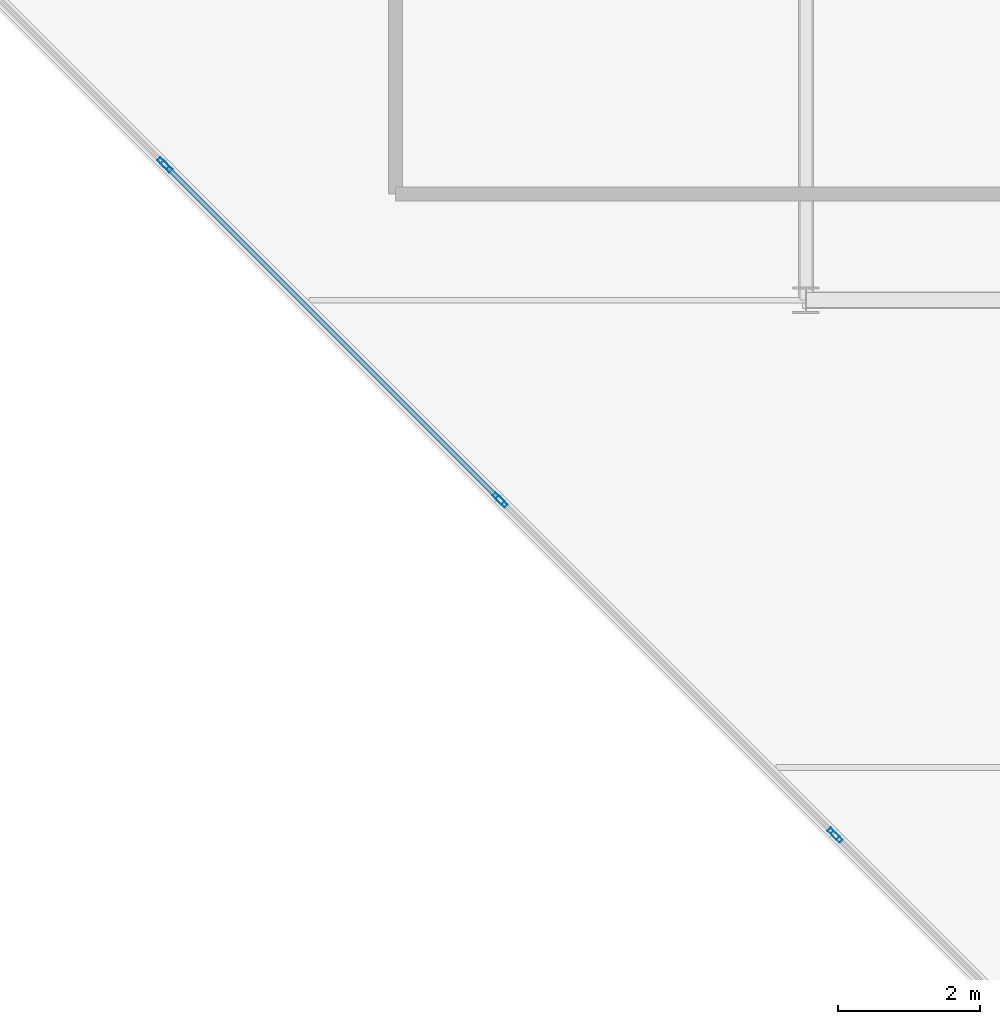
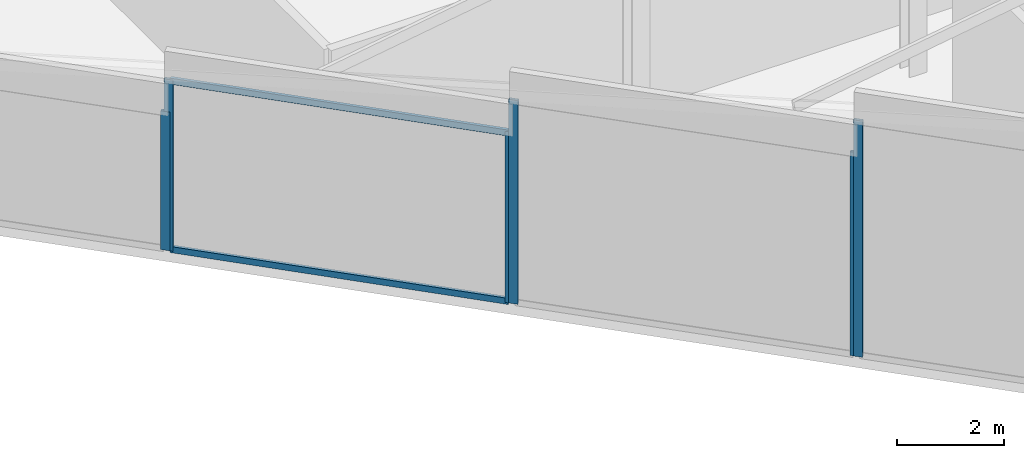
# One storey, part 2 of 30: 8 members, 4 elements without a shape of their own.
"""IFC4 building model written with IfcOpenShell, lengths in metres."""

from ifc_helpers import new_model, si_unit, direction, frame, origin, origin_2d, place, context, subcontext, project, spatial, hollow_rectangle, extrude, material, layer, layer_set, material_profile, profile_set, type_object, element, aggregate, save


model = new_model("IFC4")

# Units and contexts
model_context = context("Model", 3, precision=1e-05, world=origin(), true_north=direction((0.0, 1.0)))
body_context = subcontext(model_context, "Body", "Model", "MODEL_VIEW")
ifc_project = project(units=[si_unit("LENGTHUNIT", "METRE"), si_unit("AREAUNIT", "SQUARE_METRE"), si_unit("VOLUMEUNIT", "CUBIC_METRE"), si_unit("PLANEANGLEUNIT", "RADIAN"), si_unit("MASSUNIT", "GRAM", prefix="KILO")], contexts=[model_context])

# Site, building, storey
site_placement = place(None, origin())
site = spatial("IfcSite", under=ifc_project, at=site_placement, CompositionType="ELEMENT")
building_placement = place(site_placement, origin())
building = spatial("IfcBuilding", under=site, at=building_placement, Name="Tanjung Sevakor Pilgrim Tower", CompositionType="ELEMENT")
storey_placement = place(building_placement, frame((0.0, 0.0, 287.760009765625)))
storey = spatial("IfcBuildingStorey", under=building, at=storey_placement, Name="L80", CompositionType="ELEMENT", Elevation=287.760009765625)

# Curtain wall, member
ifc_material_1 = material(Name="Aluminium 6063-T6 and Low-E Glass", Category="aluminium")
ifc_layer = layer(ifc_material_1, 0.179931640625)
ifc_layer_set = layer_set([ifc_layer], Name="CW-SYS-CHAM")
curtain_wall_type = type_object("IfcCurtainWallType", Name="CW-SYS-CHAM", PredefinedType="NOTDEFINED", material=ifc_layer_set)
curtain_wall_1_placement = place(storey_placement, origin())
curtain_wall_1 = element("IfcCurtainWall", 1, at=curtain_wall_1_placement, inside=storey, type_object=curtain_wall_type, Name="L80 Curtain Wall CW-CHM-L80-EAST-7B1", PredefinedType="NOTDEFINED")
ifc_material_2 = material(Name="Aluminium 6063-T6", Category="aluminium")
ifc_material_profile_1 = material_profile(ifc_material_2, hollow_rectangle(XDim=0.06494140625, YDim=0.179931640625, WallThickness=0.00390625, at=origin_2d()))
ifc_profile_set_1 = profile_set([ifc_material_profile_1], Name="Aluminium 6063-T6")
member_type_1 = type_object("IfcMemberType", Name="TYPE-CWM-1", PredefinedType="MULLION", material=ifc_profile_set_1)
member_1_placement = place(storey_placement, frame((56.9208984375, 26.53466796875, 0.0), z_axis=(0.0, 0.0, 1.0), x_axis=(0.707106781187, 0.707106781187, 0.0)))
member_1 = element("IfcMember", 2, at=member_1_placement, type_object=member_type_1, Name="CW-CHM mullion 2", PredefinedType="MULLION", context=body_context, shape_type="SweptSolid", body=[
    extrude(hollow_rectangle(XDim=0.06494140625, YDim=0.179931640625, WallThickness=0.00390625, at=origin_2d()), origin(), (0.0, 0.0, 1.0), 3.17724609375),
])
aggregate(curtain_wall_1, [member_1])

# Curtain wall, members
curtain_wall_2_placement = place(storey_placement, origin())
curtain_wall_2 = element("IfcCurtainWall", 3, at=curtain_wall_2_placement, inside=storey, type_object=curtain_wall_type, Name="L80 Curtain Wall CW-CHM-L80-EAST-7B2", PredefinedType="NOTDEFINED")
member_2_placement = place(storey_placement, frame((56.966796875, 26.48876953125, 0.0), z_axis=(0.0, 0.0, 1.0), x_axis=(0.707106781187, 0.707106781187, 0.0)))
member_2 = element("IfcMember", 4, at=member_2_placement, type_object=member_type_1, Name="CW-CHM mullion 1", PredefinedType="MULLION", context=body_context, shape_type="SweptSolid", body=[
    extrude(hollow_rectangle(XDim=0.06494140625, YDim=0.179931640625, WallThickness=0.00390625, at=origin_2d()), origin(), (0.0, 0.0, 1.0), 3.9208984375),
])
member_3_placement = place(storey_placement, frame((61.65478515625, 21.80078125, 0.0), z_axis=(0.0, 0.0, 1.0), x_axis=(0.707106781187, 0.707106781187, 0.0)))
member_3 = element("IfcMember", 5, at=member_3_placement, type_object=member_type_1, Name="CW-CHM mullion 2", PredefinedType="MULLION", context=body_context, shape_type="SweptSolid", body=[
    extrude(hollow_rectangle(XDim=0.06494140625, YDim=0.179931640625, WallThickness=0.00390625, at=origin_2d()), origin(), (0.0, 0.0, 1.0), 3.9208984375),
])

curtain_wall_3_placement = place(storey_placement, origin())
curtain_wall_3 = element("IfcCurtainWall", 6, at=curtain_wall_3_placement, inside=storey, type_object=curtain_wall_type, Name="L80 Curtain Wall CW-CHM-L80-EAST-7B3", PredefinedType="NOTDEFINED")
member_4_placement = place(storey_placement, frame((61.70068359375, 21.7548828125, 0.0), z_axis=(0.0, 0.0, 1.0), x_axis=(0.707106781187, 0.707106781187, 0.0)))
member_4 = element("IfcMember", 7, at=member_4_placement, type_object=member_type_1, Name="CW-CHM mullion 1", PredefinedType="MULLION", context=body_context, shape_type="SweptSolid", body=[
    extrude(hollow_rectangle(XDim=0.06494140625, YDim=0.179931640625, WallThickness=0.00390625, at=origin_2d()), origin(), (0.0, 0.0, 1.0), 4.664794921875),
])
member_5_placement = place(storey_placement, frame((66.388671875, 17.06689453125, 0.0), z_axis=(0.0, 0.0, 1.0), x_axis=(0.707106781187, 0.707106781187, 0.0)))
member_5 = element("IfcMember", 8, at=member_5_placement, type_object=member_type_1, Name="CW-CHM mullion 2", PredefinedType="MULLION", context=body_context, shape_type="SweptSolid", body=[
    extrude(hollow_rectangle(XDim=0.06494140625, YDim=0.179931640625, WallThickness=0.00390625, at=origin_2d()), origin(), (0.0, 0.0, 1.0), 4.664794921875),
])
aggregate(curtain_wall_3, [member_4, member_5])

# Curtain wall, member
curtain_wall_4_placement = place(storey_placement, origin())
curtain_wall_4 = element("IfcCurtainWall", 9, at=curtain_wall_4_placement, inside=storey, type_object=curtain_wall_type, Name="L80 Curtain Wall CW-CHM-L80-EAST-7B4", PredefinedType="NOTDEFINED")
member_6_placement = place(storey_placement, frame((66.4345703125, 17.02099609375, 0.0), z_axis=(0.0, 0.0, 1.0), x_axis=(0.707106781187, 0.707106781187, 0.0)))
member_6 = element("IfcMember", 10, at=member_6_placement, type_object=member_type_1, Name="CW-CHM mullion 1", PredefinedType="MULLION", context=body_context, shape_type="SweptSolid", body=[
    extrude(hollow_rectangle(XDim=0.06494140625, YDim=0.179931640625, WallThickness=0.00390625, at=origin_2d()), origin(), (0.0, 0.0, 1.0), 5.408447265625),
])
aggregate(curtain_wall_4, [member_6])

# Member
ifc_material_3 = material(Name="Aluminium 6063-T6", Category="aluminium")
ifc_material_profile_2 = material_profile(ifc_material_3, hollow_rectangle(XDim=0.06494140625, YDim=0.139892578125, WallThickness=0.00390625, at=origin_2d()))
ifc_profile_set_2 = profile_set([ifc_material_profile_2], Name="Aluminium 6063-T6")
member_type_2 = type_object("IfcMemberType", Name="TYPE-CWT-1", PredefinedType="USERDEFINED", material=ifc_profile_set_2)
member_7_placement = place(storey_placement, frame((56.98974609375, 26.4658203125, 0.032470703125), z_axis=(0.707106781187, -0.707106781187, 0.0), x_axis=(0.707106781187, 0.707106781187, 0.0)))
member_7 = element("IfcMember", 11, at=member_7_placement, type_object=member_type_2, Name="CW-CHM transom 1.1", ObjectType="TRANSOM", PredefinedType="USERDEFINED", context=body_context, shape_type="SweptSolid", body=[
    extrude(hollow_rectangle(XDim=0.06494140625, YDim=0.139892578125, WallThickness=0.00390625, at=origin_2d()), origin(), (0.0, 0.0, 1.0), 6.56494140625),
])

member_8_placement = place(storey_placement, frame((56.98974609375, 26.4658203125, 3.888427734375), z_axis=(0.707106781187, -0.707106781187, 0.0), x_axis=(0.707106781187, 0.707106781187, 0.0)))
member_8 = element("IfcMember", 12, at=member_8_placement, type_object=member_type_2, Name="CW-CHM transom 1.2", ObjectType="TRANSOM", PredefinedType="USERDEFINED", context=body_context, shape_type="SweptSolid", body=[
    extrude(hollow_rectangle(XDim=0.06494140625, YDim=0.139892578125, WallThickness=0.00390625, at=origin_2d()), origin(), (0.0, 0.0, 1.0), 6.56494140625),
])

aggregate(curtain_wall_2, [member_2, member_3, member_7, member_8])

save(model, "model.ifc")
